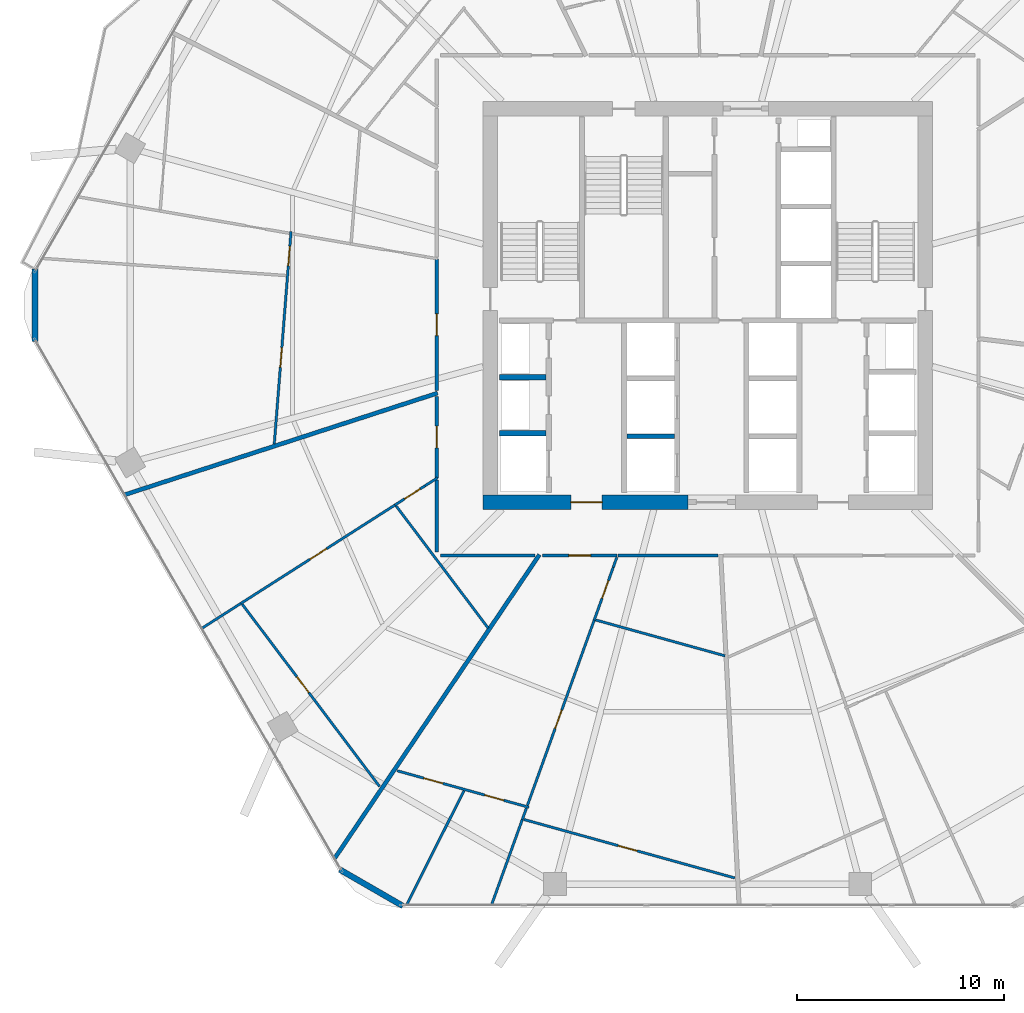
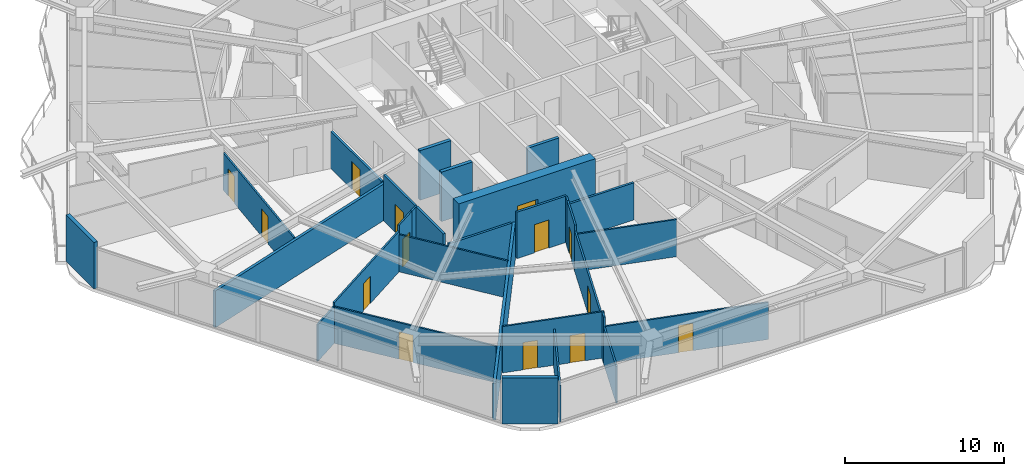
# One storey, part 23 of 32: 30 walls, 14 doors, 14 openings.
"""IFC4 building model written with IfcOpenShell, lengths in metres."""

import ifcopenshell
import ifcopenshell.guid

model = None  # the IFC model being written
_history = None  # IfcOwnerHistory: only IFC2X3 demands one
_inside = {}  # id of a spatial element -> (the spatial element, [elements in it])
_under = {}  # id of a project, library or spatial element -> (it, [spatial elements below it])
_declared = {}  # id of a project -> (the project, [libraries it declares])
_typed = {}  # id of a type object -> (the type object, [elements of that type])
_made_of = {}  # id of a material, layer set ... -> (it, [elements and type objects made of it])


def new_model(schema):
    """Start an empty IFC model of exactly this schema.

    Asked for "IFC4X3", IfcOpenShell would pick the latest addendum, in which some entities
    have other attributes; the version numbers below select the first issue.
    IFC2X3 requires an IfcOwnerHistory on every rooted entity: one is made here for all.
    """
    global model, _history
    if schema == "IFC4X3":
        model = ifcopenshell.file(schema_version=(4, 3, 0, 0))
    else:
        model = ifcopenshell.file(schema=schema)
    _inside.clear()
    _under.clear()
    _declared.clear()
    _typed.clear()
    _made_of.clear()
    _history = None
    if model.schema == "IFC2X3":
        org = make("IfcOrganization", Name="unknown")
        user = make(
            "IfcPersonAndOrganization",
            ThePerson=make("IfcPerson", FamilyName="unknown"),
            TheOrganization=org,
        )
        app = make(
            "IfcApplication",
            ApplicationDeveloper=org,
            Version="unknown",
            ApplicationFullName="unknown",
            ApplicationIdentifier="unknown",
        )
        _history = make(
            "IfcOwnerHistory",
            OwningUser=user,
            OwningApplication=app,
            ChangeAction="ADDED",
            CreationDate=0,
        )
    return model


def make(cls, **values):
    """One entity of the class cls with the attributes given. An attribute that is None is left unset."""
    return model.create_entity(
        cls, **{name: value for name, value in values.items() if value is not None}
    )


def rooted(cls, **values):
    """An entity with a GlobalId (a new one), such as an element, a storey or a relation."""
    return make(cls, GlobalId=ifcopenshell.guid.new(), OwnerHistory=_history, **values)


def si_unit(unit_type, name, prefix=None):
    """IfcSIUnit, for example si_unit("LENGTHUNIT", "METRE", prefix="MILLI")."""
    return make("IfcSIUnit", UnitType=unit_type, Prefix=prefix, Name=name)


def assignment(units):
    """IfcUnitAssignment: the units of a project."""
    return None if units is None else make("IfcUnitAssignment", Units=units)


def point(xyz):
    """IfcCartesianPoint."""
    return None if xyz is None else make("IfcCartesianPoint", Coordinates=xyz)


def direction(xyz):
    """IfcDirection."""
    return None if xyz is None else make("IfcDirection", DirectionRatios=xyz)


def frame(location, z_axis=None, x_axis=None):
    """IfcAxis2Placement3D, a coordinate frame: its origin and axes. An axis left out is left unset."""
    return make(
        "IfcAxis2Placement3D",
        Location=point(location),
        Axis=direction(z_axis),
        RefDirection=direction(x_axis),
    )


def frame_2d(location, x_axis=None):
    """IfcAxis2Placement2D, a coordinate frame in the plane: its origin and x axis."""
    return make(
        "IfcAxis2Placement2D", Location=point(location), RefDirection=direction(x_axis)
    )


def origin():
    """The frame at (0, 0, 0) with its axes left unset."""
    return frame((0.0, 0.0, 0.0))


def place(relative_to, where):
    """IfcLocalPlacement: puts the frame where relative to a parent placement (None: the world)."""
    return make(
        "IfcLocalPlacement", PlacementRelTo=relative_to, RelativePlacement=where
    )


def context(
    kind, dimensions, precision=None, world=None, true_north=None, identifier=None
):
    """IfcGeometricRepresentationContext, for example the 3D "Model" context."""
    return make(
        "IfcGeometricRepresentationContext",
        ContextIdentifier=identifier,
        ContextType=kind,
        CoordinateSpaceDimension=dimensions,
        Precision=precision,
        WorldCoordinateSystem=world,
        TrueNorth=true_north,
    )


def subcontext(parent, identifier, kind, view, scale=None):
    """IfcGeometricRepresentationSubContext, for example "Body" below "Model"."""
    return make(
        "IfcGeometricRepresentationSubContext",
        ContextIdentifier=identifier,
        ContextType=kind,
        ParentContext=parent,
        TargetScale=scale,
        TargetView=view,
    )


def project(units=None, contexts=None):
    """IfcProject with its units and contexts."""
    return rooted(
        "IfcProject",
        Name="project",
        RepresentationContexts=contexts,
        UnitsInContext=assignment(units),
    )


def spatial(cls, under=None, at=None, **own):
    """A site, building, storey or space (cls), placed at a placement, below another one or the project."""
    s = rooted(cls, ObjectPlacement=at, **own)
    if under is not None:
        _under.setdefault(under.id(), (under, []))[1].append(s)
    return s


def profile(cls, at=None, kind="AREA", **sizes):
    """A parametric profile (cls). Its sizes go by their IFC names, for example OverallWidth=200.0."""
    return make(cls, ProfileType=kind, Position=at, **sizes)


def rectangle(**sizes):
    """IfcRectangleProfileDef."""
    return profile("IfcRectangleProfileDef", **sizes)


def extrude(swept, where, along, depth):
    """IfcExtrudedAreaSolid: the profile swept, set in the frame where, extruded along a direction by depth."""
    return make(
        "IfcExtrudedAreaSolid",
        SweptArea=swept,
        Position=where,
        ExtrudedDirection=direction(along),
        Depth=depth,
    )


def shape(context_of_items, identifier, shape_type, items):
    """IfcShapeRepresentation: the items that make up one representation, for example the "Body"."""
    return make(
        "IfcShapeRepresentation",
        ContextOfItems=context_of_items,
        RepresentationIdentifier=identifier,
        RepresentationType=shape_type,
        Items=items,
    )


def material(Name=None, Category=None):
    """IfcMaterial."""
    return make("IfcMaterial", Name=Name, Category=Category)


def layer(
    of_material, thickness, ventilated=None, Name=None, Category=None, Priority=None
):
    """IfcMaterialLayer: one layer of a wall or slab, of a material (None: an air gap)."""
    return make(
        "IfcMaterialLayer",
        Material=of_material,
        LayerThickness=thickness,
        IsVentilated=ventilated,
        Name=Name,
        Category=Category,
        Priority=Priority,
    )


def layer_set(layers, Name=None):
    """IfcMaterialLayerSet."""
    return make("IfcMaterialLayerSet", MaterialLayers=layers, LayerSetName=Name)


def made_of(thing, what):
    """Note that an element or type object is made of a material, layer set ...; save() writes the relation."""
    if what is not None:
        _made_of.setdefault(what.id(), (what, []))[1].append(thing)
    return thing


def type_object(cls, material=None, **own):
    """A type object (cls), such as IfcWallType, which elements share."""
    return made_of(rooted(cls, **own), material)


def element(
    cls,
    number,
    at=None,
    inside=None,
    cuts=None,
    type_object=None,
    material=None,
    context=None,
    identifier="Body",
    shape_type=None,
    held_by="IfcProductDefinitionShape",
    body=None,
    shapes=None,
    **own,
):
    """One element of the class cls, such as IfcWall. Its Tag is "e" and its number.

    at: its placement. inside: the storey or other place that contains it. cuts: it is an
    opening in that element (IfcRelVoidsElement). A single representation is given by context,
    identifier, shape_type and body (its items); several are given by shapes. held_by: the class
    of the entity that holds the representations. save() writes the other relations.
    """
    e = rooted(cls, Tag="e%d" % number, ObjectPlacement=at, **own)
    if body is not None:
        shapes = [shape(context, identifier, shape_type, body)]
    if shapes is not None:
        e.Representation = make(held_by, Representations=shapes)
    if inside is not None:
        _inside.setdefault(inside.id(), (inside, []))[1].append(e)
    if cuts is not None:
        rooted(
            "IfcRelVoidsElement", RelatingBuildingElement=cuts, RelatedOpeningElement=e
        )
    if type_object is not None:
        _typed.setdefault(type_object.id(), (type_object, []))[1].append(e)
    return made_of(e, material)


def fill(opening, filler):
    """IfcRelFillsElement: the door or window that sits in an opening."""
    return rooted(
        "IfcRelFillsElement",
        RelatingOpeningElement=opening,
        RelatedBuildingElement=filler,
    )


def aggregate(whole, parts):
    """IfcRelAggregates: a whole, such as a stair, and the parts it consists of."""
    return rooted("IfcRelAggregates", RelatingObject=whole, RelatedObjects=parts)


def save(model, path):
    """Write the relations noted so far, then the file.

    IfcRelAggregates (storeys below a building ...), IfcRelContainedInSpatialStructure (elements
    in a storey), IfcRelDefinesByType, IfcRelAssociatesMaterial and IfcRelDeclares: one each for
    every whole, place, type object, material and project.
    """
    for whole, parts in _under.values():
        aggregate(whole, parts)
    for where, things in _inside.values():
        rooted(
            "IfcRelContainedInSpatialStructure",
            RelatedElements=things,
            RelatingStructure=where,
        )
    for kind, things in _typed.values():
        rooted("IfcRelDefinesByType", RelatedObjects=things, RelatingType=kind)
    for what, things in _made_of.values():
        rooted("IfcRelAssociatesMaterial", RelatedObjects=things, RelatingMaterial=what)
    for by, libraries in _declared.values():
        rooted("IfcRelDeclares", RelatingContext=by, RelatedDefinitions=libraries)
    model.write(path)


model = new_model("IFC4")

# Units and contexts
model_context = context("Model", 3, precision=1e-05, world=origin(), true_north=direction((0.0, 1.0)))
body_context = subcontext(model_context, "Body", "Model", "MODEL_VIEW")
ifc_project = project(units=[si_unit("LENGTHUNIT", "METRE"), si_unit("AREAUNIT", "SQUARE_METRE"), si_unit("VOLUMEUNIT", "CUBIC_METRE"), si_unit("PLANEANGLEUNIT", "RADIAN"), si_unit("MASSUNIT", "GRAM", prefix="KILO")], contexts=[model_context])

# Site, building, storey
site_placement = place(None, origin())
site = spatial("IfcSite", under=ifc_project, at=site_placement, CompositionType="ELEMENT")
building_placement = place(site_placement, origin())
building = spatial("IfcBuilding", under=site, at=building_placement, Name="Zuhravey Tower", CompositionType="ELEMENT")
storey_placement = place(building_placement, frame((0.0, 0.0, 119.0)))
storey = spatial("IfcBuildingStorey", under=building, at=storey_placement, Name="L29", CompositionType="ELEMENT", Elevation=119.0)

# Wall, opening, door
ifc_material_1 = material(Name="Concrete C60/75", Category="concrete")
ifc_layer_1 = layer(ifc_material_1, 0.699951171875)
ifc_layer_set_1 = layer_set([ifc_layer_1], Name="Concrete C60/75")
wall_type_1 = type_object("IfcWallType", Name="Core Shear Wall 700", PredefinedType="SHEAR", material=ifc_layer_set_1)
wall_1_placement = place(storey_placement, frame((25.14990234375, 22.5, 0.0), z_axis=(0.0, 0.0, 1.0), x_axis=(1.0, 0.0, 0.0)))
wall_1 = element("IfcWall", 1, at=wall_1_placement, inside=storey, type_object=wall_type_1, Name="L29 South-West Core Shear Wall CW70", PredefinedType="SHEAR", context=body_context, shape_type="SweptSolid", body=[
    extrude(rectangle(XDim=9.900146484375, YDim=0.699951171875, at=frame_2d((4.9501953125, 0.0))), origin(), (0.0, 0.0, 1.0), 3.800048828125),
])
opening_1_placement = place(wall_1_placement, frame((4.25, 0.0, 0.0)))
opening_1 = element("IfcOpeningElement", 2, at=opening_1_placement, cuts=wall_1, Name="Opening FFD1", PredefinedType="OPENING", context=body_context, shape_type="SweptSolid", body=[
    extrude(rectangle(XDim=1.5, YDim=2.14990234375, at=frame_2d((0.75, 1.074951171875))), frame((0.0, 0.362060546875, 0.0), z_axis=(0.0, -1.0, 0.0), x_axis=(1.0, 0.0, 0.0)), (0.0, 0.0, 1.0), 0.723876953125),
])
ifc_material_2 = material(Name="Galvanised fire-rated steel leaf", Category="steel")
door_type_1 = type_object("IfcDoorType", Name="Firefighting Lobby Double Door 1500x2150", OperationType="DOUBLE_DOOR_SINGLE_SWING", PredefinedType="DOOR", material=ifc_material_2)
door_1_placement = place(opening_1_placement, origin())
door_1 = element("IfcDoor", 3, at=door_1_placement, inside=storey, type_object=door_type_1, Name="L29 Firefighting Lobby West Door", OperationType="DOUBLE_DOOR_SINGLE_SWING", OverallHeight=2.14990234375, OverallWidth=1.5, PredefinedType="DOOR", context=body_context, shape_type="SweptSolid", body=[
    extrude(rectangle(XDim=1.5, YDim=2.14990234375, at=frame_2d((0.75, 1.074951171875))), frame((0.0, 0.02490234375, 0.0), z_axis=(0.0, -1.0, 0.0), x_axis=(1.0, 0.0, 0.0)), (0.0, 0.0, 1.0), 0.050048828125),
])
fill(opening_1, door_1)

ifc_material_3 = material(Name="Gypsum fire-rated stud partition")
ifc_layer_2 = layer(ifc_material_3, 0.159912109375)
ifc_layer_set_2 = layer_set([ifc_layer_2], Name="Gypsum fire-rated stud partition")
wall_type_2 = type_object("IfcWallType", Name="Corridor Fire Partition 160", PredefinedType="PARTITIONING", material=ifc_layer_set_2)
wall_2_placement = place(storey_placement, frame((22.919921875, 34.234375, 0.0), z_axis=(0.0, 0.0, 1.0), x_axis=(0.0, -1.0, 0.0)))
wall_2 = element("IfcWall", 4, at=wall_2_placement, inside=storey, type_object=wall_type_2, Name="L29 IW16 Partition 038", PredefinedType="PARTITIONING", context=body_context, shape_type="SweptSolid", body=[
    extrude(rectangle(XDim=6.33740234375, YDim=0.159912109375, at=frame_2d((3.168701171875, 0.0))), origin(), (0.0, 0.0, 1.0), 2.85009765625),
])
opening_2_placement = place(wall_2_placement, frame((2.643798828125, 0.0, 0.0)))
opening_2 = element("IfcOpeningElement", 5, at=opening_2_placement, cuts=wall_2, Name="Opening APD1", PredefinedType="OPENING", context=body_context, shape_type="SweptSolid", body=[
    extrude(rectangle(XDim=1.050048828125, YDim=2.14990234375, at=frame_2d((0.52490234375, 1.074951171875))), frame((0.0, 0.092041015625, 0.0), z_axis=(0.0, -1.0, 0.0), x_axis=(1.0, 0.0, 0.0)), (0.0, 0.0, 1.0), 0.183837890625),
])
ifc_material_4 = material(Name="Solid-core oak fire-rated leaf")
door_type_2 = type_object("IfcDoorType", Name="Apartment Entrance Fire Door 1050x2150", OperationType="NOTDEFINED", PredefinedType="DOOR", material=ifc_material_4)
door_2_placement = place(opening_2_placement, frame((1.050048828125, 0.0, 0.0), z_axis=(0.0, 0.0, 1.0), x_axis=(-1.0, 0.0, 0.0)))
door_2 = element("IfcDoor", 6, at=door_2_placement, inside=storey, type_object=door_type_2, Name="L29 Door 038.1", OperationType="SINGLE_SWING_LEFT", OverallHeight=2.14990234375, OverallWidth=1.050048828125, PredefinedType="DOOR", context=body_context, shape_type="SweptSolid", body=[
    extrude(rectangle(XDim=1.050048828125, YDim=2.14990234375, at=frame_2d((0.52490234375, 1.074951171875))), frame((0.0, 0.02490234375, 0.0), z_axis=(0.0, -1.0, 0.0), x_axis=(1.0, 0.0, 0.0)), (0.0, 0.0, 1.0), 0.050048828125),
])
fill(opening_2, door_2)

wall_3_placement = place(storey_placement, frame((22.919921875, 27.602294921875, 0.0), z_axis=(0.0, 0.0, 1.0), x_axis=(0.0, -1.0, 0.0)))
wall_3 = element("IfcWall", 7, at=wall_3_placement, inside=storey, type_object=wall_type_2, Name="L29 IW16 Partition 042", PredefinedType="PARTITIONING", context=body_context, shape_type="SweptSolid", body=[
    extrude(rectangle(XDim=3.9306640625, YDim=0.159912109375, at=frame_2d((1.96533203125, 0.0))), origin(), (0.0, 0.0, 1.0), 3.550048828125),
])
opening_3_placement = place(wall_3_placement, frame((1.4404296875, 0.0, 0.0)))
opening_3 = element("IfcOpeningElement", 8, at=opening_3_placement, cuts=wall_3, Name="Opening APD1", PredefinedType="OPENING", context=body_context, shape_type="SweptSolid", body=[
    extrude(rectangle(XDim=1.050048828125, YDim=2.14990234375, at=frame_2d((0.52490234375, 1.074951171875))), frame((0.0, 0.092041015625, 0.0), z_axis=(0.0, -1.0, 0.0), x_axis=(1.0, 0.0, 0.0)), (0.0, 0.0, 1.0), 0.183837890625),
])
door_3_placement = place(opening_3_placement, frame((1.050048828125, 0.0, 0.0), z_axis=(0.0, 0.0, 1.0), x_axis=(-1.0, 0.0, 0.0)))
door_3 = element("IfcDoor", 9, at=door_3_placement, inside=storey, type_object=door_type_2, Name="L29 Door 042.1", OperationType="SINGLE_SWING_LEFT", OverallHeight=2.14990234375, OverallWidth=1.050048828125, PredefinedType="DOOR", context=body_context, shape_type="SweptSolid", body=[
    extrude(rectangle(XDim=1.050048828125, YDim=2.14990234375, at=frame_2d((0.52490234375, 1.074951171875))), frame((0.0, 0.02490234375, 0.0), z_axis=(0.0, -1.0, 0.0), x_axis=(1.0, 0.0, 0.0)), (0.0, 0.0, 1.0), 0.050048828125),
])
fill(opening_3, door_3)

wall_4_placement = place(storey_placement, frame((28.0283203125, 19.919921875, 0.0), z_axis=(0.0, 0.0, 1.0), x_axis=(1.0, 0.0, 0.0)))
wall_4 = element("IfcWall", 10, at=wall_4_placement, inside=storey, type_object=wall_type_2, Name="L29 IW16 Partition 048", PredefinedType="PARTITIONING", context=body_context, shape_type="SweptSolid", body=[
    extrude(rectangle(XDim=3.5966796875, YDim=0.159912109375, at=frame_2d((1.79833984375, 0.0))), origin(), (0.0, 0.0, 1.0), 3.550048828125),
])
opening_4_placement = place(wall_4_placement, frame((1.273193359375, 0.0, 0.0)))
opening_4 = element("IfcOpeningElement", 11, at=opening_4_placement, cuts=wall_4, Name="Opening APD1", PredefinedType="OPENING", context=body_context, shape_type="SweptSolid", body=[
    extrude(rectangle(XDim=1.050048828125, YDim=2.14990234375, at=frame_2d((0.52490234375, 1.074951171875))), frame((0.0, 0.092041015625, 0.0), z_axis=(0.0, -1.0, 0.0), x_axis=(1.0, 0.0, 0.0)), (0.0, 0.0, 1.0), 0.183837890625),
])
door_4_placement = place(opening_4_placement, frame((1.050048828125, 0.0, 0.0), z_axis=(0.0, 0.0, 1.0), x_axis=(-1.0, 0.0, 0.0)))
door_4 = element("IfcDoor", 12, at=door_4_placement, inside=storey, type_object=door_type_2, Name="L29 Door 048.1", OperationType="SINGLE_SWING_LEFT", OverallHeight=2.14990234375, OverallWidth=1.050048828125, PredefinedType="DOOR", context=body_context, shape_type="SweptSolid", body=[
    extrude(rectangle(XDim=1.050048828125, YDim=2.14990234375, at=frame_2d((0.52490234375, 1.074951171875))), frame((0.0, 0.02490234375, 0.0), z_axis=(0.0, -1.0, 0.0), x_axis=(1.0, 0.0, 0.0)), (0.0, 0.0, 1.0), 0.050048828125),
])
fill(opening_4, door_4)

# Walls
wall_5_placement = place(storey_placement, frame((23.10009765625, 19.919921875, 0.0), z_axis=(0.0, 0.0, 1.0), x_axis=(1.0, 0.0, 0.0)))
element("IfcWall", 13, at=wall_5_placement, inside=storey, type_object=wall_type_2, Name="L29 IW16 Partition 122", PredefinedType="PARTITIONING", context=body_context, shape_type="SweptSolid", body=[
    extrude(rectangle(XDim=4.5732421875, YDim=0.159912109375, at=frame_2d((2.28662109375, 0.0))), origin(), (0.0, 0.0, 1.0), 2.85009765625),
])
wall_6_placement = place(storey_placement, frame((22.919921875, 23.567138671875, 0.0), z_axis=(0.0, 0.0, 1.0), x_axis=(0.0, -1.0, 0.0)))
element("IfcWall", 14, at=wall_6_placement, inside=storey, type_object=wall_type_2, Name="L29 IW16 Partition 123", PredefinedType="PARTITIONING", context=body_context, shape_type="SweptSolid", body=[
    extrude(rectangle(XDim=3.467041015625, YDim=0.159912109375, at=frame_2d((1.7333984375, 0.0))), origin(), (0.0, 0.0, 1.0), 3.550048828125),
])
wall_7_placement = place(storey_placement, frame((31.66748046875, 19.919921875, 0.0), z_axis=(0.0, 0.0, 1.0), x_axis=(1.0, 0.0, 0.0)))
element("IfcWall", 15, at=wall_7_placement, inside=storey, type_object=wall_type_2, Name="L29 IW16 Partition 124", PredefinedType="PARTITIONING", context=body_context, shape_type="SweptSolid", body=[
    extrude(rectangle(XDim=4.83984375, YDim=0.159912109375, at=frame_2d((2.419921875, 0.0))), origin(), (0.0, 0.0, 1.0), 2.85009765625),
])
ifc_material_5 = material(Name="Precast concrete C40/50", Category="concrete")
ifc_layer_3 = layer(ifc_material_5, 0.280029296875)
ifc_layer_set_3 = layer_set([ifc_layer_3], Name="Precast concrete C40/50")
wall_type_3 = type_object("IfcWallType", Name="Crown Architectural Wall 280", PredefinedType="SOLIDWALL", material=ifc_layer_set_3)
wall_8_placement = place(storey_placement, frame((21.28271484375, 2.993896484375, 0.0), z_axis=(0.0, 0.0, 1.0), x_axis=(-0.866007452331, 0.500031091541, 0.0)))
element("IfcWall", 16, at=wall_8_placement, inside=storey, type_object=wall_type_3, Name="L29 Rounded Corner Closure Wall EW28-04", PredefinedType="SOLIDWALL", context=body_context, shape_type="SweptSolid", body=[
    extrude(rectangle(XDim=3.514892578125, YDim=0.280029296875, at=frame_2d((1.75732421875, 0.0))), origin(), (0.0, 0.0, 1.0), 3.550048828125),
])
wall_9_placement = place(storey_placement, frame((3.521484375, 30.242431640625, 0.0), z_axis=(0.0, 0.0, 1.0), x_axis=(0.0, 1.0, 0.0)))
element("IfcWall", 17, at=wall_9_placement, inside=storey, type_object=wall_type_3, Name="L29 Rounded Corner Closure Wall EW28-06", PredefinedType="SOLIDWALL", context=body_context, shape_type="SweptSolid", body=[
    extrude(rectangle(XDim=3.51513671875, YDim=0.280029296875, at=frame_2d((1.757568359375, 0.0))), origin(), (0.0, 0.0, 1.0), 3.550048828125),
])
ifc_material_6 = material(Name="Concrete C50/60", Category="concrete")
ifc_layer_4 = layer(ifc_material_6, 0.25)
ifc_layer_set_4 = layer_set([ifc_layer_4], Name="Concrete C50/60")
wall_type_4 = type_object("IfcWallType", Name="Firefighting Shaft & Stair Wall 250", PredefinedType="SOLIDWALL", material=ifc_layer_set_4)
for number, where, z_axis, x_axis, name in (
    (18, (25.949951171875, 25.824951171875, 0.0), (0.0, 0.0, 1.0), (1.0, 0.0, 0.0), "L29 FW25 Shaft Wall 009"),
    (19, (25.949951171875, 28.52490234375, 0.0), (0.0, 0.0, 1.0), (1.0, 0.0, 0.0), "L29 FW25 Shaft Wall 010"),
):
    element("IfcWall", number, at=place(storey_placement, frame(where, z_axis=z_axis, x_axis=x_axis)), inside=storey, type_object=wall_type_4, Name=name, PredefinedType="SOLIDWALL", context=body_context, shape_type="SweptSolid", body=[
        extrude(rectangle(XDim=2.25, YDim=0.25, at=frame_2d((1.125, 0.0))), origin(), (0.0, 0.0, 1.0), 3.800048828125),
    ])
ifc_material_7 = material(Name="Gypsum double-stud party assembly")
ifc_layer_5 = layer(ifc_material_7, 0.199951171875)
ifc_layer_set_5 = layer_set([ifc_layer_5], Name="Gypsum double-stud party assembly")
wall_type_5 = type_object("IfcWallType", Name="Inter-Tenancy Party Wall 200", PredefinedType="PARTITIONING", material=ifc_layer_set_5)
wall_10_placement = place(storey_placement, frame((22.9599609375, 27.762939453125, 0.0), z_axis=(0.0, 0.0, 1.0), x_axis=(-0.95105675479, -0.309016260362, 0.0)))
element("IfcWall", 20, at=wall_10_placement, inside=storey, type_object=wall_type_5, Name="L29 IW20 Partition 092", PredefinedType="PARTITIONING", context=body_context, shape_type="SweptSolid", body=[
    extrude(rectangle(XDim=15.894287109375, YDim=0.199951171875, at=frame_2d((7.947265625, 0.0))), origin(), (0.0, 0.0, 1.0), 2.800048828125),
])
wall_11_placement = place(storey_placement, frame((27.87890625, 19.9599609375, 0.0), z_axis=(0.0, 0.0, 1.0), x_axis=(-0.559197020648, -0.829034795469, 0.0)))
element("IfcWall", 21, at=wall_11_placement, inside=storey, type_object=wall_type_5, Name="L29 IW20 Partition 096", PredefinedType="PARTITIONING", context=body_context, shape_type="SweptSolid", body=[
    extrude(rectangle(XDim=17.6962890625, YDim=0.199951171875, at=frame_2d((8.84814453125, 0.0))), origin(), (0.0, 0.0, 1.0), 2.800048828125),
])
ifc_material_8 = material(Name="Gypsum acoustic stud assembly")
ifc_layer_6 = layer(ifc_material_8, 0.219970703125)
ifc_layer_set_6 = layer_set([ifc_layer_6], Name="Gypsum acoustic stud assembly")
wall_type_6 = type_object("IfcWallType", Name="School Acoustic Compartment Wall 220", PredefinedType="PARTITIONING", material=ifc_layer_set_6)
wall_12_placement = place(storey_placement, frame((32.10791015625, 25.675048828125, 0.0), z_axis=(0.0, 0.0, 1.0), x_axis=(1.0, 0.0, 0.0)))
element("IfcWall", 22, at=wall_12_placement, inside=storey, type_object=wall_type_6, Name="L29 IW22 Partition 063", PredefinedType="PARTITIONING", context=body_context, shape_type="SweptSolid", body=[
    extrude(rectangle(XDim=2.2841796875, YDim=0.219970703125, at=frame_2d((1.14208984375, 0.0))), origin(), (0.0, 0.0, 1.0), 3.550048828125),
])

# Wall, openings, doors
ifc_material_9 = material(Name="Gypsum metal-stud partition")
ifc_layer_7 = layer(ifc_material_9, 0.1201171875)
ifc_layer_set_7 = layer_set([ifc_layer_7], Name="Gypsum metal-stud partition")
wall_type_7 = type_object("IfcWallType", Name="Unit Internal Partition 120", PredefinedType="PARTITIONING", material=ifc_layer_set_7)
wall_13_placement = place(storey_placement, frame((15.880126953125, 35.569580078125, 0.0), z_axis=(0.0, 0.0, 1.0), x_axis=(-0.078466415581, -0.996916757621, 0.0)))
wall_13 = element("IfcWall", 23, at=wall_13_placement, inside=storey, type_object=wall_type_7, Name="L29 IW12 Partition 033", PredefinedType="PARTITIONING", context=body_context, shape_type="SweptSolid", body=[
    extrude(rectangle(XDim=10.304931640625, YDim=0.1201171875, at=frame_2d((5.15234375, 0.0))), origin(), (0.0, 0.0, 1.0), 2.85009765625),
])
opening_5_placement = place(wall_13_placement, frame((0.716552734375, 0.0, 0.0)))
opening_5 = element("IfcOpeningElement", 24, at=opening_5_placement, cuts=wall_13, Name="Opening IND1", PredefinedType="OPENING", context=body_context, shape_type="SweptSolid", body=[
    extrude(rectangle(XDim=0.949951171875, YDim=2.10009765625, at=frame_2d((0.47509765625, 1.050048828125))), frame((0.0, 0.072021484375, 0.0), z_axis=(0.0, -1.0, 0.0), x_axis=(1.0, 0.0, 0.0)), (0.0, 0.0, 1.0), 0.14404296875),
])
opening_6_placement = place(wall_13_placement, frame((5.62890625, 0.0, 0.0)))
opening_6 = element("IfcOpeningElement", 25, at=opening_6_placement, cuts=wall_13, Name="Opening IND1", PredefinedType="OPENING", context=body_context, shape_type="SweptSolid", body=[
    extrude(rectangle(XDim=0.949951171875, YDim=2.10009765625, at=frame_2d((0.47509765625, 1.050048828125))), frame((0.0, 0.072021484375, 0.0), z_axis=(0.0, -1.0, 0.0), x_axis=(1.0, 0.0, 0.0)), (0.0, 0.0, 1.0), 0.14404296875),
])
ifc_material_10 = material(Name="Painted engineered timber leaf", Category="wood")
door_type_3 = type_object("IfcDoorType", Name="Internal Room & Bedroom Door 950x2100", OperationType="NOTDEFINED", PredefinedType="DOOR", material=ifc_material_10)
door_5_placement = place(opening_5_placement, frame((0.949951171875, 0.0, 0.0), z_axis=(0.0, 0.0, 1.0), x_axis=(-1.0, 0.0, 0.0)))
door_5 = element("IfcDoor", 26, at=door_5_placement, inside=storey, type_object=door_type_3, Name="Apartment L29-04 Family Study Door", OperationType="SINGLE_SWING_RIGHT", OverallHeight=2.10009765625, OverallWidth=0.949951171875, PredefinedType="DOOR", context=body_context, shape_type="SweptSolid", body=[
    extrude(rectangle(XDim=0.949951171875, YDim=2.10009765625, at=frame_2d((0.47509765625, 1.050048828125))), frame((0.0, 0.02490234375, 0.0), z_axis=(0.0, -1.0, 0.0), x_axis=(1.0, 0.0, 0.0)), (0.0, 0.0, 1.0), 0.050048828125),
])
fill(opening_5, door_5)
door_6_placement = place(opening_6_placement, frame((0.949951171875, 0.0, 0.0), z_axis=(0.0, 0.0, 1.0), x_axis=(-1.0, 0.0, 0.0)))
door_6 = element("IfcDoor", 27, at=door_6_placement, inside=storey, type_object=door_type_3, Name="Apartment L29-04 Dining Room Door", OperationType="SINGLE_SWING_LEFT", OverallHeight=2.10009765625, OverallWidth=0.949951171875, PredefinedType="DOOR", context=body_context, shape_type="SweptSolid", body=[
    extrude(rectangle(XDim=0.949951171875, YDim=2.10009765625, at=frame_2d((0.47509765625, 1.050048828125))), frame((0.0, 0.02490234375, 0.0), z_axis=(0.0, -1.0, 0.0), x_axis=(1.0, 0.0, 0.0)), (0.0, 0.0, 1.0), 0.050048828125),
])
fill(opening_6, door_6)

# Wall, opening, door
wall_14_placement = place(storey_placement, frame((22.35009765625, 23.283935546875, 0.0), z_axis=(0.0, 0.0, 1.0), x_axis=(-0.842804899484, -0.538219194572, 0.0)))
wall_14 = element("IfcWall", 28, at=wall_14_placement, inside=storey, type_object=wall_type_7, Name="L29 IW12 Partition 039", PredefinedType="PARTITIONING", context=body_context, shape_type="SweptSolid", body=[
    extrude(rectangle(XDim=1.727294921875, YDim=0.1201171875, at=frame_2d((0.86376953125, 0.0))), origin(), (0.0, 0.0, 1.0), 3.550048828125),
])
opening_7_placement = place(wall_14_placement, frame((0.275390625, 0.0, 0.0)))
opening_7 = element("IfcOpeningElement", 29, at=opening_7_placement, cuts=wall_14, Name="Opening WCD1", PredefinedType="OPENING", context=body_context, shape_type="SweptSolid", body=[
    extrude(rectangle(XDim=0.89990234375, YDim=2.10009765625, at=frame_2d((0.449951171875, 1.050048828125))), frame((0.0, 0.072021484375, 0.0), z_axis=(0.0, -1.0, 0.0), x_axis=(1.0, 0.0, 0.0)), (0.0, 0.0, 1.0), 0.14404296875),
])
ifc_material_11 = material(Name="Moisture-resistant timber leaf", Category="wood")
door_type_4 = type_object("IfcDoorType", Name="Bathroom & WC Internal Door 900x2100", OperationType="NOTDEFINED", PredefinedType="DOOR", material=ifc_material_11)
door_7_placement = place(opening_7_placement, origin())
door_7 = element("IfcDoor", 30, at=door_7_placement, inside=storey, type_object=door_type_4, Name="Apartment L29-05 Bathroom Door", OperationType="SINGLE_SWING_RIGHT", OverallHeight=2.10009765625, OverallWidth=0.89990234375, PredefinedType="DOOR", context=body_context, shape_type="SweptSolid", body=[
    extrude(rectangle(XDim=0.89990234375, YDim=2.10009765625, at=frame_2d((0.449951171875, 1.050048828125))), frame((0.0, 0.02490234375, 0.0), z_axis=(0.0, -1.0, 0.0), x_axis=(1.0, 0.0, 0.0)), (0.0, 0.0, 1.0), 0.050048828125),
])
fill(opening_7, door_7)

wall_15_placement = place(storey_placement, frame((20.894287109375, 22.354248046875, 0.0), z_axis=(0.0, 0.0, 1.0), x_axis=(-0.842829505657, -0.538180661482, 0.0)))
wall_15 = element("IfcWall", 31, at=wall_15_placement, inside=storey, type_object=wall_type_7, Name="L29 IW12 Partition 040", PredefinedType="PARTITIONING", context=body_context, shape_type="SweptSolid", body=[
    extrude(rectangle(XDim=8.8193359375, YDim=0.1201171875, at=frame_2d((4.40966796875, 0.0))), origin(), (0.0, 0.0, 1.0), 3.10009765625),
])
opening_8_placement = place(wall_15_placement, frame((3.90966796875, 0.0, 0.0)))
opening_8 = element("IfcOpeningElement", 32, at=opening_8_placement, cuts=wall_15, Name="Opening IND1", PredefinedType="OPENING", context=body_context, shape_type="SweptSolid", body=[
    extrude(rectangle(XDim=0.949951171875, YDim=2.10009765625, at=frame_2d((0.47509765625, 1.050048828125))), frame((0.0, 0.072021484375, 0.0), z_axis=(0.0, -1.0, 0.0), x_axis=(1.0, 0.0, 0.0)), (0.0, 0.0, 1.0), 0.14404296875),
])
door_8_placement = place(opening_8_placement, origin())
door_8 = element("IfcDoor", 33, at=door_8_placement, inside=storey, type_object=door_type_3, Name="Apartment L29-05 Home Office Door", OperationType="SINGLE_SWING_LEFT", OverallHeight=2.10009765625, OverallWidth=0.949951171875, PredefinedType="DOOR", context=body_context, shape_type="SweptSolid", body=[
    extrude(rectangle(XDim=0.949951171875, YDim=2.10009765625, at=frame_2d((0.47509765625, 1.050048828125))), frame((0.0, 0.02490234375, 0.0), z_axis=(0.0, -1.0, 0.0), x_axis=(1.0, 0.0, 0.0)), (0.0, 0.0, 1.0), 0.050048828125),
])
fill(opening_8, door_8)

wall_16_placement = place(storey_placement, frame((13.523193359375, 17.56689453125, 0.0), z_axis=(0.0, 0.0, 1.0), x_axis=(0.601820745962, -0.798631197569, 0.0)))
wall_16 = element("IfcWall", 34, at=wall_16_placement, inside=storey, type_object=wall_type_7, Name="L29 IW12 Partition 041", PredefinedType="PARTITIONING", context=body_context, shape_type="SweptSolid", body=[
    extrude(rectangle(XDim=11.01806640625, YDim=0.1201171875, at=frame_2d((5.509033203125, 0.0))), origin(), (0.0, 0.0, 1.0), 2.800048828125),
])
opening_9_placement = place(wall_16_placement, frame((4.390380859375, 0.0, 0.0)))
opening_9 = element("IfcOpeningElement", 35, at=opening_9_placement, cuts=wall_16, Name="Opening IND1", PredefinedType="OPENING", context=body_context, shape_type="SweptSolid", body=[
    extrude(rectangle(XDim=0.949951171875, YDim=2.10009765625, at=frame_2d((0.47509765625, 1.050048828125))), frame((0.0, 0.072021484375, 0.0), z_axis=(0.0, -1.0, 0.0), x_axis=(1.0, 0.0, 0.0)), (0.0, 0.0, 1.0), 0.14404296875),
])
door_9_placement = place(opening_9_placement, frame((0.949951171875, 0.0, 0.0), z_axis=(0.0, 0.0, 1.0), x_axis=(-1.0, 0.0, 0.0)))
door_9 = element("IfcDoor", 36, at=door_9_placement, inside=storey, type_object=door_type_3, Name="Apartment L29-05 Bedroom 1 Door", OperationType="SINGLE_SWING_RIGHT", OverallHeight=2.10009765625, OverallWidth=0.949951171875, PredefinedType="DOOR", context=body_context, shape_type="SweptSolid", body=[
    extrude(rectangle(XDim=0.949951171875, YDim=2.10009765625, at=frame_2d((0.47509765625, 1.050048828125))), frame((0.0, 0.02490234375, 0.0), z_axis=(0.0, -1.0, 0.0), x_axis=(1.0, 0.0, 0.0)), (0.0, 0.0, 1.0), 0.050048828125),
])
fill(opening_9, door_9)

# Wall, openings, doors
wall_17_placement = place(storey_placement, frame((21.004150390625, 9.52490234375, 0.0), z_axis=(0.0, 0.0, 1.0), x_axis=(0.963627434519, -0.267249260883, 0.0)))
wall_17 = element("IfcWall", 37, at=wall_17_placement, inside=storey, type_object=wall_type_7, Name="L29 IW12 Partition 043", PredefinedType="PARTITIONING", context=body_context, shape_type="SweptSolid", body=[
    extrude(rectangle(XDim=6.605712890625, YDim=0.1201171875, at=frame_2d((3.302734375, 0.0))), origin(), (0.0, 0.0, 1.0), 3.550048828125),
])
opening_10_placement = place(wall_17_placement, frame((1.33544921875, 0.0, 0.0)))
opening_10 = element("IfcOpeningElement", 38, at=opening_10_placement, cuts=wall_17, Name="Opening IND1", PredefinedType="OPENING", context=body_context, shape_type="SweptSolid", body=[
    extrude(rectangle(XDim=0.949951171875, YDim=2.10009765625, at=frame_2d((0.47509765625, 1.050048828125))), frame((0.0, 0.072021484375, 0.0), z_axis=(0.0, -1.0, 0.0), x_axis=(1.0, 0.0, 0.0)), (0.0, 0.0, 1.0), 0.14404296875),
])
opening_11_placement = place(wall_17_placement, frame((4.39599609375, 0.0, 0.0)))
opening_11 = element("IfcOpeningElement", 39, at=opening_11_placement, cuts=wall_17, Name="Opening IND1", PredefinedType="OPENING", context=body_context, shape_type="SweptSolid", body=[
    extrude(rectangle(XDim=0.949951171875, YDim=2.10009765625, at=frame_2d((0.47509765625, 1.050048828125))), frame((0.0, 0.072021484375, 0.0), z_axis=(0.0, -1.0, 0.0), x_axis=(1.0, 0.0, 0.0)), (0.0, 0.0, 1.0), 0.14404296875),
])
door_10_placement = place(opening_10_placement, frame((0.949951171875, 0.0, 0.0), z_axis=(0.0, 0.0, 1.0), x_axis=(-1.0, 0.0, 0.0)))
door_10 = element("IfcDoor", 40, at=door_10_placement, inside=storey, type_object=door_type_3, Name="Apartment L29-06 Family Study Door", OperationType="SINGLE_SWING_RIGHT", OverallHeight=2.10009765625, OverallWidth=0.949951171875, PredefinedType="DOOR", context=body_context, shape_type="SweptSolid", body=[
    extrude(rectangle(XDim=0.949951171875, YDim=2.10009765625, at=frame_2d((0.47509765625, 1.050048828125))), frame((0.0, 0.02490234375, 0.0), z_axis=(0.0, -1.0, 0.0), x_axis=(1.0, 0.0, 0.0)), (0.0, 0.0, 1.0), 0.050048828125),
])
fill(opening_10, door_10)
door_11_placement = place(opening_11_placement, frame((0.949951171875, 0.0, 0.0), z_axis=(0.0, 0.0, 1.0), x_axis=(-1.0, 0.0, 0.0)))
door_11 = element("IfcDoor", 41, at=door_11_placement, inside=storey, type_object=door_type_3, Name="Apartment L29-06 Dining Room Door", OperationType="SINGLE_SWING_LEFT", OverallHeight=2.10009765625, OverallWidth=0.949951171875, PredefinedType="DOOR", context=body_context, shape_type="SweptSolid", body=[
    extrude(rectangle(XDim=0.949951171875, YDim=2.10009765625, at=frame_2d((0.47509765625, 1.050048828125))), frame((0.0, 0.02490234375, 0.0), z_axis=(0.0, -1.0, 0.0), x_axis=(1.0, 0.0, 0.0)), (0.0, 0.0, 1.0), 0.050048828125),
])
fill(opening_11, door_11)

# Wall, opening, door
wall_18_placement = place(storey_placement, frame((31.44091796875, 19.35009765625, 0.0), z_axis=(0.0, 0.0, 1.0), x_axis=(-0.339095676242, -0.940751892028, 0.0)))
wall_18 = element("IfcWall", 42, at=wall_18_placement, inside=storey, type_object=wall_type_7, Name="L29 IW12 Partition 044", PredefinedType="PARTITIONING", context=body_context, shape_type="SweptSolid", body=[
    extrude(rectangle(XDim=2.71142578125, YDim=0.1201171875, at=frame_2d((1.355712890625, 0.0))), origin(), (0.0, 0.0, 1.0), 3.550048828125),
])
opening_12_placement = place(wall_18_placement, frame((0.688720703125, 0.0, 0.0)))
opening_12 = element("IfcOpeningElement", 43, at=opening_12_placement, cuts=wall_18, Name="Opening WCD1", PredefinedType="OPENING", context=body_context, shape_type="SweptSolid", body=[
    extrude(rectangle(XDim=0.89990234375, YDim=2.10009765625, at=frame_2d((0.449951171875, 1.050048828125))), frame((0.0, 0.072021484375, 0.0), z_axis=(0.0, -1.0, 0.0), x_axis=(1.0, 0.0, 0.0)), (0.0, 0.0, 1.0), 0.14404296875),
])
door_12_placement = place(opening_12_placement, origin())
door_12 = element("IfcDoor", 44, at=door_12_placement, inside=storey, type_object=door_type_4, Name="Apartment L29-06 Bathroom Door", OperationType="SINGLE_SWING_RIGHT", OverallHeight=2.10009765625, OverallWidth=0.89990234375, PredefinedType="DOOR", context=body_context, shape_type="SweptSolid", body=[
    extrude(rectangle(XDim=0.89990234375, YDim=2.10009765625, at=frame_2d((0.449951171875, 1.050048828125))), frame((0.0, 0.02490234375, 0.0), z_axis=(0.0, -1.0, 0.0), x_axis=(1.0, 0.0, 0.0)), (0.0, 0.0, 1.0), 0.050048828125),
])
fill(opening_12, door_12)

wall_19_placement = place(storey_placement, frame((30.521484375, 16.79931640625, 0.0), z_axis=(0.0, 0.0, 1.0), x_axis=(-0.339072987496, -0.940760069917, 0.0)))
wall_19 = element("IfcWall", 45, at=wall_19_placement, inside=storey, type_object=wall_type_7, Name="L29 IW12 Partition 045", PredefinedType="PARTITIONING", context=body_context, shape_type="SweptSolid", body=[
    extrude(rectangle(XDim=9.51220703125, YDim=0.1201171875, at=frame_2d((4.756103515625, 0.0))), origin(), (0.0, 0.0, 1.0), 3.10009765625),
])
opening_13_placement = place(wall_19_placement, frame((4.619873046875, 0.0, 0.0)))
opening_13 = element("IfcOpeningElement", 46, at=opening_13_placement, cuts=wall_19, Name="Opening IND1", PredefinedType="OPENING", context=body_context, shape_type="SweptSolid", body=[
    extrude(rectangle(XDim=0.949951171875, YDim=2.10009765625, at=frame_2d((0.47509765625, 1.050048828125))), frame((0.0, 0.072021484375, 0.0), z_axis=(0.0, -1.0, 0.0), x_axis=(1.0, 0.0, 0.0)), (0.0, 0.0, 1.0), 0.14404296875),
])
door_13_placement = place(opening_13_placement, origin())
door_13 = element("IfcDoor", 47, at=door_13_placement, inside=storey, type_object=door_type_3, Name="Apartment L29-06 Home Office Door", OperationType="SINGLE_SWING_LEFT", OverallHeight=2.10009765625, OverallWidth=0.949951171875, PredefinedType="DOOR", context=body_context, shape_type="SweptSolid", body=[
    extrude(rectangle(XDim=0.949951171875, YDim=2.10009765625, at=frame_2d((0.47509765625, 1.050048828125))), frame((0.0, 0.02490234375, 0.0), z_axis=(0.0, -1.0, 0.0), x_axis=(1.0, 0.0, 0.0)), (0.0, 0.0, 1.0), 0.050048828125),
])
fill(opening_13, door_13)

# Wall
wall_20_placement = place(storey_placement, frame((27.25, 7.72216796875, 0.0), z_axis=(0.0, 0.0, 1.0), x_axis=(-0.339319445683, -0.940671203865, 0.0)))
element("IfcWall", 48, at=wall_20_placement, inside=storey, type_object=wall_type_7, Name="L29 IW12 Partition 046", PredefinedType="PARTITIONING", context=body_context, shape_type="SweptSolid", body=[
    extrude(rectangle(XDim=0.5908203125, YDim=0.1201171875, at=frame_2d((0.29541015625, 0.0))), origin(), (0.0, 0.0, 1.0), 3.550048828125),
])

# Wall, opening, door
wall_21_placement = place(storey_placement, frame((27.123779296875, 7.171630859375, 0.0), z_axis=(0.0, 0.0, 1.0), x_axis=(0.963629033609, -0.267243494936, 0.0)))
wall_21 = element("IfcWall", 49, at=wall_21_placement, inside=storey, type_object=wall_type_7, Name="L29 IW12 Partition 047", PredefinedType="PARTITIONING", context=body_context, shape_type="SweptSolid", body=[
    extrude(rectangle(XDim=10.56787109375, YDim=0.1201171875, at=frame_2d((5.283935546875, 0.0))), origin(), (0.0, 0.0, 1.0), 2.85009765625),
])
opening_14_placement = place(wall_21_placement, frame((4.724609375, 0.0, 0.0)))
opening_14 = element("IfcOpeningElement", 50, at=opening_14_placement, cuts=wall_21, Name="Opening IND1", PredefinedType="OPENING", context=body_context, shape_type="SweptSolid", body=[
    extrude(rectangle(XDim=0.949951171875, YDim=2.10009765625, at=frame_2d((0.47509765625, 1.050048828125))), frame((0.0, 0.072021484375, 0.0), z_axis=(0.0, -1.0, 0.0), x_axis=(1.0, 0.0, 0.0)), (0.0, 0.0, 1.0), 0.14404296875),
])
door_14_placement = place(opening_14_placement, frame((0.949951171875, 0.0, 0.0), z_axis=(0.0, 0.0, 1.0), x_axis=(-1.0, 0.0, 0.0)))
door_14 = element("IfcDoor", 51, at=door_14_placement, inside=storey, type_object=door_type_3, Name="Apartment L29-06 Bedroom 1 Door", OperationType="SINGLE_SWING_RIGHT", OverallHeight=2.10009765625, OverallWidth=0.949951171875, PredefinedType="DOOR", context=body_context, shape_type="SweptSolid", body=[
    extrude(rectangle(XDim=0.949951171875, YDim=2.10009765625, at=frame_2d((0.47509765625, 1.050048828125))), frame((0.0, 0.02490234375, 0.0), z_axis=(0.0, -1.0, 0.0), x_axis=(1.0, 0.0, 0.0)), (0.0, 0.0, 1.0), 0.050048828125),
])
fill(opening_14, door_14)

# Walls
wall_22_placement = place(storey_placement, frame((22.957275390625, 23.671630859375, 0.0), z_axis=(0.0, 0.0, 1.0), x_axis=(-0.842837175005, -0.538168650546, 0.0)))
element("IfcWall", 52, at=wall_22_placement, inside=storey, type_object=wall_type_7, Name="L29 IW12 Partition 093", PredefinedType="PARTITIONING", context=body_context, shape_type="SweptSolid", body=[
    extrude(rectangle(XDim=0.720458984375, YDim=0.1201171875, at=frame_2d((0.3603515625, 0.0))), origin(), (0.0, 0.0, 1.0), 3.550048828125),
])
wall_23_placement = place(storey_placement, frame((13.461181640625, 17.60791015625, 0.0), z_axis=(0.0, 0.0, 1.0), x_axis=(-0.842820653361, -0.538194524562, 0.0)))
element("IfcWall", 53, at=wall_23_placement, inside=storey, type_object=wall_type_7, Name="L29 IW12 Partition 094", PredefinedType="PARTITIONING", context=body_context, shape_type="SweptSolid", body=[
    extrude(rectangle(XDim=2.25048828125, YDim=0.1201171875, at=frame_2d((1.125244140625, 0.0))), origin(), (0.0, 0.0, 1.0), 2.800048828125),
])
wall_24_placement = place(storey_placement, frame((20.956298828125, 22.313232421875, 0.0), z_axis=(0.0, 0.0, 1.0), x_axis=(0.601821242671, -0.798630823265, 0.0)))
element("IfcWall", 54, at=wall_24_placement, inside=storey, type_object=wall_type_7, Name="L29 IW12 Partition 095", PredefinedType="PARTITIONING", context=body_context, shape_type="SweptSolid", body=[
    extrude(rectangle(XDim=7.393310546875, YDim=0.1201171875, at=frame_2d((3.69677734375, 0.0))), origin(), (0.0, 0.0, 1.0), 2.85009765625),
])
wall_25_placement = place(storey_placement, frame((24.231201171875, 8.559326171875, 0.0), z_axis=(0.0, 0.0, 1.0), x_axis=(-0.448691712372, -0.893686604604, 0.0)))
element("IfcWall", 55, at=wall_25_placement, inside=storey, type_object=wall_type_7, Name="L29 IW12 Partition 097", PredefinedType="PARTITIONING", context=body_context, shape_type="SweptSolid", body=[
    extrude(rectangle(XDim=6.207763671875, YDim=0.1201171875, at=frame_2d((3.10400390625, 0.0))), origin(), (0.0, 0.0, 1.0), 2.800048828125),
])
wall_26_placement = place(storey_placement, frame((31.614501953125, 19.83203125, 0.0), z_axis=(0.0, 0.0, 1.0), x_axis=(-0.33887135872, -0.940832717458, 0.0)))
element("IfcWall", 56, at=wall_26_placement, inside=storey, type_object=wall_type_7, Name="L29 IW12 Partition 098", PredefinedType="PARTITIONING", context=body_context, shape_type="SweptSolid", body=[
    extrude(rectangle(XDim=0.51220703125, YDim=0.1201171875, at=frame_2d((0.256103515625, 0.0))), origin(), (0.0, 0.0, 1.0), 3.550048828125),
])
wall_27_placement = place(storey_placement, frame((27.049560546875, 7.16650390625, 0.0), z_axis=(0.0, 0.0, 1.0), x_axis=(-0.339083894989, -0.940756138518, 0.0)))
element("IfcWall", 57, at=wall_27_placement, inside=storey, type_object=wall_type_7, Name="L29 IW12 Partition 099", PredefinedType="PARTITIONING", context=body_context, shape_type="SweptSolid", body=[
    extrude(rectangle(XDim=4.388427734375, YDim=0.1201171875, at=frame_2d((2.1943359375, 0.0))), origin(), (0.0, 0.0, 1.0), 2.800048828125),
])
wall_28_placement = place(storey_placement, frame((30.595703125, 16.8046875, 0.0), z_axis=(0.0, 0.0, 1.0), x_axis=(0.963630652768, -0.26723765649, 0.0)))
element("IfcWall", 58, at=wall_28_placement, inside=storey, type_object=wall_type_7, Name="L29 IW12 Partition 100", PredefinedType="PARTITIONING", context=body_context, shape_type="SweptSolid", body=[
    extrude(rectangle(XDim=6.47900390625, YDim=0.1201171875, at=frame_2d((3.239501953125, 0.0))), origin(), (0.0, 0.0, 1.0), 2.85009765625),
])

save(model, "model.ifc")
